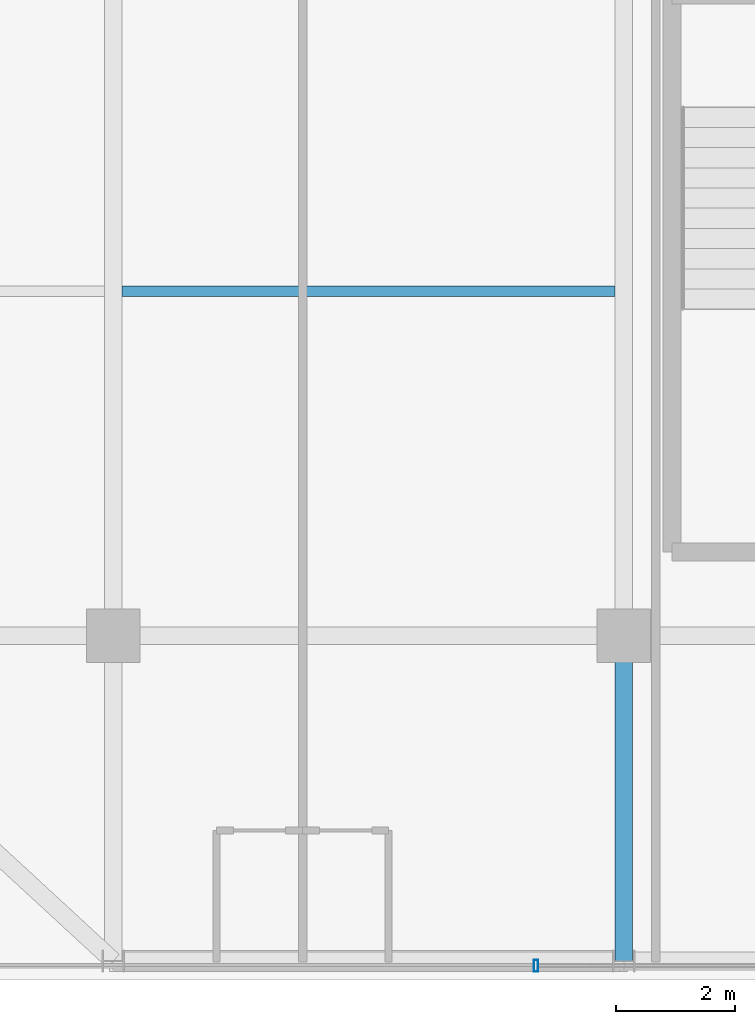
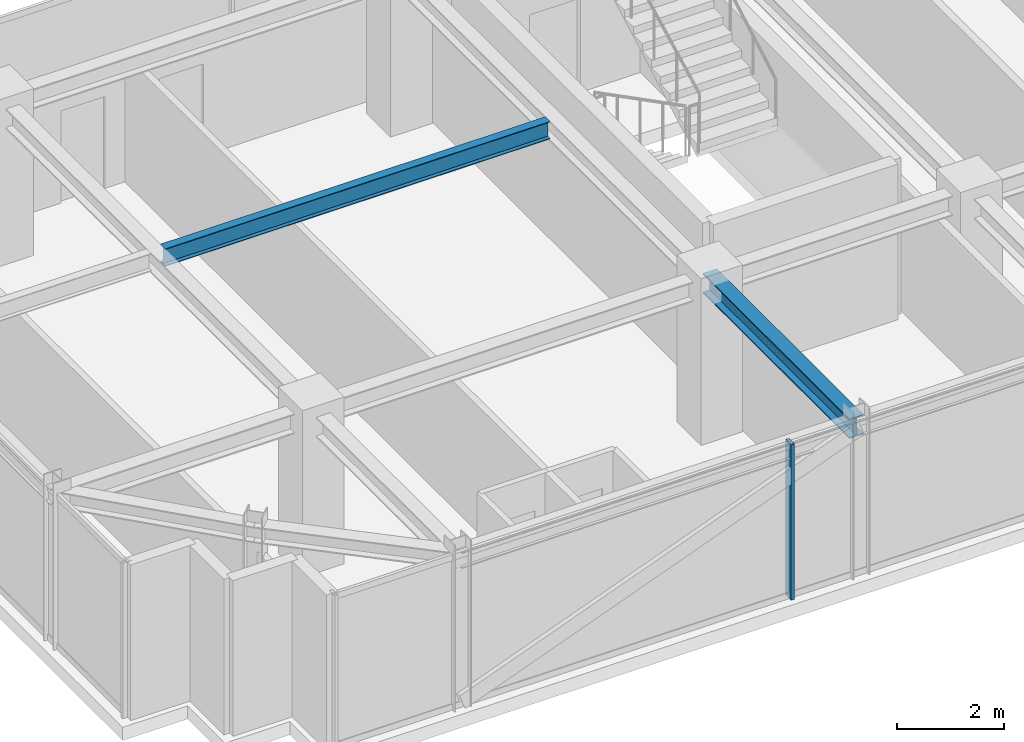
# One storey, part 7 of 40: 2 beams, 1 member, 1 element without a shape of its own.
"""IFC4 building model written with IfcOpenShell, lengths in metres."""

import ifcopenshell
import ifcopenshell.guid

model = None  # the IFC model being written
_history = None  # IfcOwnerHistory: only IFC2X3 demands one
_inside = {}  # id of a spatial element -> (the spatial element, [elements in it])
_under = {}  # id of a project, library or spatial element -> (it, [spatial elements below it])
_declared = {}  # id of a project -> (the project, [libraries it declares])
_typed = {}  # id of a type object -> (the type object, [elements of that type])
_made_of = {}  # id of a material, layer set ... -> (it, [elements and type objects made of it])


def new_model(schema):
    """Start an empty IFC model of exactly this schema.

    Asked for "IFC4X3", IfcOpenShell would pick the latest addendum, in which some entities
    have other attributes; the version numbers below select the first issue.
    IFC2X3 requires an IfcOwnerHistory on every rooted entity: one is made here for all.
    """
    global model, _history
    if schema == "IFC4X3":
        model = ifcopenshell.file(schema_version=(4, 3, 0, 0))
    else:
        model = ifcopenshell.file(schema=schema)
    _inside.clear()
    _under.clear()
    _declared.clear()
    _typed.clear()
    _made_of.clear()
    _history = None
    if model.schema == "IFC2X3":
        org = make("IfcOrganization", Name="unknown")
        user = make(
            "IfcPersonAndOrganization",
            ThePerson=make("IfcPerson", FamilyName="unknown"),
            TheOrganization=org,
        )
        app = make(
            "IfcApplication",
            ApplicationDeveloper=org,
            Version="unknown",
            ApplicationFullName="unknown",
            ApplicationIdentifier="unknown",
        )
        _history = make(
            "IfcOwnerHistory",
            OwningUser=user,
            OwningApplication=app,
            ChangeAction="ADDED",
            CreationDate=0,
        )
    return model


def make(cls, **values):
    """One entity of the class cls with the attributes given. An attribute that is None is left unset."""
    return model.create_entity(
        cls, **{name: value for name, value in values.items() if value is not None}
    )


def rooted(cls, **values):
    """An entity with a GlobalId (a new one), such as an element, a storey or a relation."""
    return make(cls, GlobalId=ifcopenshell.guid.new(), OwnerHistory=_history, **values)


def si_unit(unit_type, name, prefix=None):
    """IfcSIUnit, for example si_unit("LENGTHUNIT", "METRE", prefix="MILLI")."""
    return make("IfcSIUnit", UnitType=unit_type, Prefix=prefix, Name=name)


def assignment(units):
    """IfcUnitAssignment: the units of a project."""
    return None if units is None else make("IfcUnitAssignment", Units=units)


def point(xyz):
    """IfcCartesianPoint."""
    return None if xyz is None else make("IfcCartesianPoint", Coordinates=xyz)


def direction(xyz):
    """IfcDirection."""
    return None if xyz is None else make("IfcDirection", DirectionRatios=xyz)


def frame(location, z_axis=None, x_axis=None):
    """IfcAxis2Placement3D, a coordinate frame: its origin and axes. An axis left out is left unset."""
    return make(
        "IfcAxis2Placement3D",
        Location=point(location),
        Axis=direction(z_axis),
        RefDirection=direction(x_axis),
    )


def frame_2d(location, x_axis=None):
    """IfcAxis2Placement2D, a coordinate frame in the plane: its origin and x axis."""
    return make(
        "IfcAxis2Placement2D", Location=point(location), RefDirection=direction(x_axis)
    )


def origin():
    """The frame at (0, 0, 0) with its axes left unset."""
    return frame((0.0, 0.0, 0.0))


def origin_2d():
    """The frame at (0, 0) in the plane with its x axis left unset."""
    return frame_2d((0.0, 0.0))


def place(relative_to, where):
    """IfcLocalPlacement: puts the frame where relative to a parent placement (None: the world)."""
    return make(
        "IfcLocalPlacement", PlacementRelTo=relative_to, RelativePlacement=where
    )


def context(
    kind, dimensions, precision=None, world=None, true_north=None, identifier=None
):
    """IfcGeometricRepresentationContext, for example the 3D "Model" context."""
    return make(
        "IfcGeometricRepresentationContext",
        ContextIdentifier=identifier,
        ContextType=kind,
        CoordinateSpaceDimension=dimensions,
        Precision=precision,
        WorldCoordinateSystem=world,
        TrueNorth=true_north,
    )


def subcontext(parent, identifier, kind, view, scale=None):
    """IfcGeometricRepresentationSubContext, for example "Body" below "Model"."""
    return make(
        "IfcGeometricRepresentationSubContext",
        ContextIdentifier=identifier,
        ContextType=kind,
        ParentContext=parent,
        TargetScale=scale,
        TargetView=view,
    )


def project(units=None, contexts=None):
    """IfcProject with its units and contexts."""
    return rooted(
        "IfcProject",
        Name="project",
        RepresentationContexts=contexts,
        UnitsInContext=assignment(units),
    )


def spatial(cls, under=None, at=None, **own):
    """A site, building, storey or space (cls), placed at a placement, below another one or the project."""
    s = rooted(cls, ObjectPlacement=at, **own)
    if under is not None:
        _under.setdefault(under.id(), (under, []))[1].append(s)
    return s


def profile(cls, at=None, kind="AREA", **sizes):
    """A parametric profile (cls). Its sizes go by their IFC names, for example OverallWidth=200.0."""
    return make(cls, ProfileType=kind, Position=at, **sizes)


def hollow_rectangle(**sizes):
    """IfcRectangleHollowProfileDef."""
    return profile("IfcRectangleHollowProfileDef", **sizes)


def i_section(**sizes):
    """IfcIShapeProfileDef."""
    return profile("IfcIShapeProfileDef", **sizes)


def extrude(swept, where, along, depth):
    """IfcExtrudedAreaSolid: the profile swept, set in the frame where, extruded along a direction by depth."""
    return make(
        "IfcExtrudedAreaSolid",
        SweptArea=swept,
        Position=where,
        ExtrudedDirection=direction(along),
        Depth=depth,
    )


def shape(context_of_items, identifier, shape_type, items):
    """IfcShapeRepresentation: the items that make up one representation, for example the "Body"."""
    return make(
        "IfcShapeRepresentation",
        ContextOfItems=context_of_items,
        RepresentationIdentifier=identifier,
        RepresentationType=shape_type,
        Items=items,
    )


def source(mapping_origin, context_of_items, identifier, shape_type, items):
    """IfcRepresentationMap: a shape defined once, which mapped items show again and again."""
    return make(
        "IfcRepresentationMap",
        MappingOrigin=mapping_origin,
        MappedRepresentation=shape(context_of_items, identifier, shape_type, items),
    )


def transform(
    local_origin,
    x_axis=None,
    y_axis=None,
    z_axis=None,
    scale=None,
    scale2=None,
    scale3=None,
    uniform=True,
):
    """IfcCartesianTransformationOperator3D, or its non-uniform kind. x_axis, y_axis, z_axis: its Axis1, 2, 3."""
    if uniform:
        return make(
            "IfcCartesianTransformationOperator3D",
            Axis1=direction(x_axis),
            Axis2=direction(y_axis),
            LocalOrigin=point(local_origin),
            Scale=scale,
            Axis3=direction(z_axis),
        )
    return make(
        "IfcCartesianTransformationOperator3DnonUniform",
        Axis1=direction(x_axis),
        Axis2=direction(y_axis),
        LocalOrigin=point(local_origin),
        Scale=scale,
        Axis3=direction(z_axis),
        Scale2=scale2,
        Scale3=scale3,
    )


def mapped(mapping_source, mapping_target):
    """IfcMappedItem: shows the shape of a source again, moved by a transform."""
    return make(
        "IfcMappedItem", MappingSource=mapping_source, MappingTarget=mapping_target
    )


def material(Name=None, Category=None):
    """IfcMaterial."""
    return make("IfcMaterial", Name=Name, Category=Category)


def material_profile(
    of_material, cross_section, Name=None, Category=None, Priority=None
):
    """IfcMaterialProfile: a cross section and its material."""
    return make(
        "IfcMaterialProfile",
        Name=Name,
        Material=of_material,
        Profile=cross_section,
        Priority=Priority,
        Category=Category,
    )


def profile_set(profiles, Name=None, composite=None):
    """IfcMaterialProfileSet."""
    return make(
        "IfcMaterialProfileSet",
        Name=Name,
        MaterialProfiles=profiles,
        CompositeProfile=composite,
    )


def made_of(thing, what):
    """Note that an element or type object is made of a material, layer set ...; save() writes the relation."""
    if what is not None:
        _made_of.setdefault(what.id(), (what, []))[1].append(thing)
    return thing


def type_object(cls, material=None, **own):
    """A type object (cls), such as IfcWallType, which elements share."""
    return made_of(rooted(cls, **own), material)


def element(
    cls,
    number,
    at=None,
    inside=None,
    cuts=None,
    type_object=None,
    material=None,
    context=None,
    identifier="Body",
    shape_type=None,
    held_by="IfcProductDefinitionShape",
    body=None,
    shapes=None,
    **own,
):
    """One element of the class cls, such as IfcWall. Its Tag is "e" and its number.

    at: its placement. inside: the storey or other place that contains it. cuts: it is an
    opening in that element (IfcRelVoidsElement). A single representation is given by context,
    identifier, shape_type and body (its items); several are given by shapes. held_by: the class
    of the entity that holds the representations. save() writes the other relations.
    """
    e = rooted(cls, Tag="e%d" % number, ObjectPlacement=at, **own)
    if body is not None:
        shapes = [shape(context, identifier, shape_type, body)]
    if shapes is not None:
        e.Representation = make(held_by, Representations=shapes)
    if inside is not None:
        _inside.setdefault(inside.id(), (inside, []))[1].append(e)
    if cuts is not None:
        rooted(
            "IfcRelVoidsElement", RelatingBuildingElement=cuts, RelatedOpeningElement=e
        )
    if type_object is not None:
        _typed.setdefault(type_object.id(), (type_object, []))[1].append(e)
    return made_of(e, material)


def aggregate(whole, parts):
    """IfcRelAggregates: a whole, such as a stair, and the parts it consists of."""
    return rooted("IfcRelAggregates", RelatingObject=whole, RelatedObjects=parts)


def save(model, path):
    """Write the relations noted so far, then the file.

    IfcRelAggregates (storeys below a building ...), IfcRelContainedInSpatialStructure (elements
    in a storey), IfcRelDefinesByType, IfcRelAssociatesMaterial and IfcRelDeclares: one each for
    every whole, place, type object, material and project.
    """
    for whole, parts in _under.values():
        aggregate(whole, parts)
    for where, things in _inside.values():
        rooted(
            "IfcRelContainedInSpatialStructure",
            RelatedElements=things,
            RelatingStructure=where,
        )
    for kind, things in _typed.values():
        rooted("IfcRelDefinesByType", RelatedObjects=things, RelatingType=kind)
    for what, things in _made_of.values():
        rooted("IfcRelAssociatesMaterial", RelatedObjects=things, RelatingMaterial=what)
    for by, libraries in _declared.values():
        rooted("IfcRelDeclares", RelatingContext=by, RelatedDefinitions=libraries)
    model.write(path)


model = new_model("IFC4")

# Units and contexts
model_context = context("Model", 3, precision=1e-05, world=origin(), true_north=direction((0.0, 1.0)))
body_context = subcontext(model_context, "Body", "Model", "MODEL_VIEW")
ifc_project = project(units=[si_unit("LENGTHUNIT", "METRE"), si_unit("AREAUNIT", "SQUARE_METRE"), si_unit("VOLUMEUNIT", "CUBIC_METRE"), si_unit("PLANEANGLEUNIT", "RADIAN"), si_unit("MASSUNIT", "GRAM", prefix="KILO")], contexts=[model_context])

# Site, building, storey
site_placement = place(None, origin())
site = spatial("IfcSite", under=ifc_project, at=site_placement, CompositionType="ELEMENT")
building_placement = place(site_placement, origin())
building = spatial("IfcBuilding", under=site, at=building_placement, Name="Nahalor Promenade Grand Hotel", CompositionType="ELEMENT")
storey_placement = place(building_placement, frame((0.0, 0.0, 288.800048828125)))
storey = spatial("IfcBuildingStorey", under=building, at=storey_placement, Name="L74", CompositionType="ELEMENT", Elevation=288.800048828125)

# Beams
ifc_material_1 = material(Name="Steel S355JR", Category="steel")
ifc_material_profile_1 = material_profile(ifc_material_1, i_section(OverallWidth=0.18, OverallDepth=0.4, WebThickness=0.0086, FlangeThickness=0.0135, at=origin_2d()), Name="IPE 400")
ifc_profile_set_1 = profile_set([ifc_material_profile_1], Name="Steel S355JR")
beam_type_1 = type_object("IfcBeamType", Name="Beam-Joist-IPE400", PredefinedType="JOIST", material=ifc_profile_set_1)
shared_shape_1 = source(origin(), body_context, "Body", "SweptSolid", [
    extrude(i_section(OverallWidth=0.18, OverallDepth=0.4, WebThickness=0.0086, FlangeThickness=0.0135, at=origin_2d()), origin(), (0.0, 0.0, 1.0), 8.300048828125),
])
beam_1_placement = place(storey_placement, frame((-16.85009765625, -11.199951171875, 3.349853515625), z_axis=(1.0, 0.0, 0.0), x_axis=(0.0, 1.0, 0.0)))
element("IfcBeam", 1, at=beam_1_placement, inside=storey, type_object=beam_type_1, Name="BM-L74-JSW-0-1", PredefinedType="JOIST", context=body_context, shape_type="MappedRepresentation", body=[
    mapped(shared_shape_1, transform((0.0, 0.0, 0.0), scale=1.0)),
])
ifc_material_profile_2 = material_profile(ifc_material_1, i_section(OverallWidth=0.3, OverallDepth=0.45, WebThickness=0.014, FlangeThickness=0.026, at=origin_2d()), Name="HEB 450")
ifc_profile_set_2 = profile_set([ifc_material_profile_2], Name="Steel S355JR")
beam_type_2 = type_object("IfcBeamType", Name="Beam-Girder-HEB450", PredefinedType="BEAM", material=ifc_profile_set_2)
shared_shape_2 = source(origin(), body_context, "Body", "SweptSolid", [
    extrude(i_section(OverallWidth=0.3, OverallDepth=0.45, WebThickness=0.014, FlangeThickness=0.026, at=origin_2d()), origin(), (0.0, 0.0, 1.0), 5.47998046875),
])
beam_2_placement = place(storey_placement, frame((-8.39990234375, -22.47998046875, 3.324951171875), z_axis=(0.0, 1.0, 0.0), x_axis=(-1.0, 0.0, 0.0)))
element("IfcBeam", 2, at=beam_2_placement, inside=storey, type_object=beam_type_2, Name="BM-L74-GY-1-0", PredefinedType="BEAM", context=body_context, shape_type="MappedRepresentation", body=[
    mapped(shared_shape_2, transform((0.0, 0.0, 0.0), scale=1.0)),
])

# Curtain wall, member
ifc_material_2 = material(Name="Anodised Bronze Aluminium EN AW-6063 T6", Category="aluminium")
curtain_wall_type = type_object("IfcCurtainWallType", Name="CW3 Elliptical-Void Collar Unitised Curtain Wall", PredefinedType="USERDEFINED", material=ifc_material_2)
curtain_wall_placement = place(storey_placement, origin())
curtain_wall = element("IfcCurtainWall", 3, at=curtain_wall_placement, inside=storey, type_object=curtain_wall_type, Name="L74 Curtain Wall CW-L74-S-1", ObjectType="UNITISED_CURTAIN_WALL", PredefinedType="USERDEFINED")
ifc_material_profile_3 = material_profile(ifc_material_2, hollow_rectangle(XDim=0.07, YDim=0.2, WallThickness=0.005, at=origin_2d()), Name="CWM 70x200x5")
ifc_profile_set_3 = profile_set([ifc_material_profile_3], Name="Anodised Bronze Aluminium EN AW-6063 T6")
member_type = type_object("IfcMemberType", Name="CWM3 Void Collar Mullion 70x200", PredefinedType="MULLION", material=ifc_profile_set_3)
shared_shape_3 = source(origin(), body_context, "Body", "SweptSolid", [
    extrude(hollow_rectangle(XDim=0.07, YDim=0.2, WallThickness=0.005, at=origin_2d()), origin(), (0.0, 0.0, 1.0), 3.550048828125),
])
member_placement = place(storey_placement, frame((-9.8798828125, -22.56005859375, 0.0), z_axis=(0.0, 0.0, 1.0), x_axis=(1.0, 0.0, 0.0)))
member = element("IfcMember", 4, at=member_placement, type_object=member_type, Name="CW-L74-S-1 Mullion 1", PredefinedType="MULLION", context=body_context, shape_type="MappedRepresentation", body=[
    mapped(shared_shape_3, transform((0.0, 0.0, 0.0), scale=1.0)),
])
aggregate(curtain_wall, [member])

save(model, "model.ifc")
